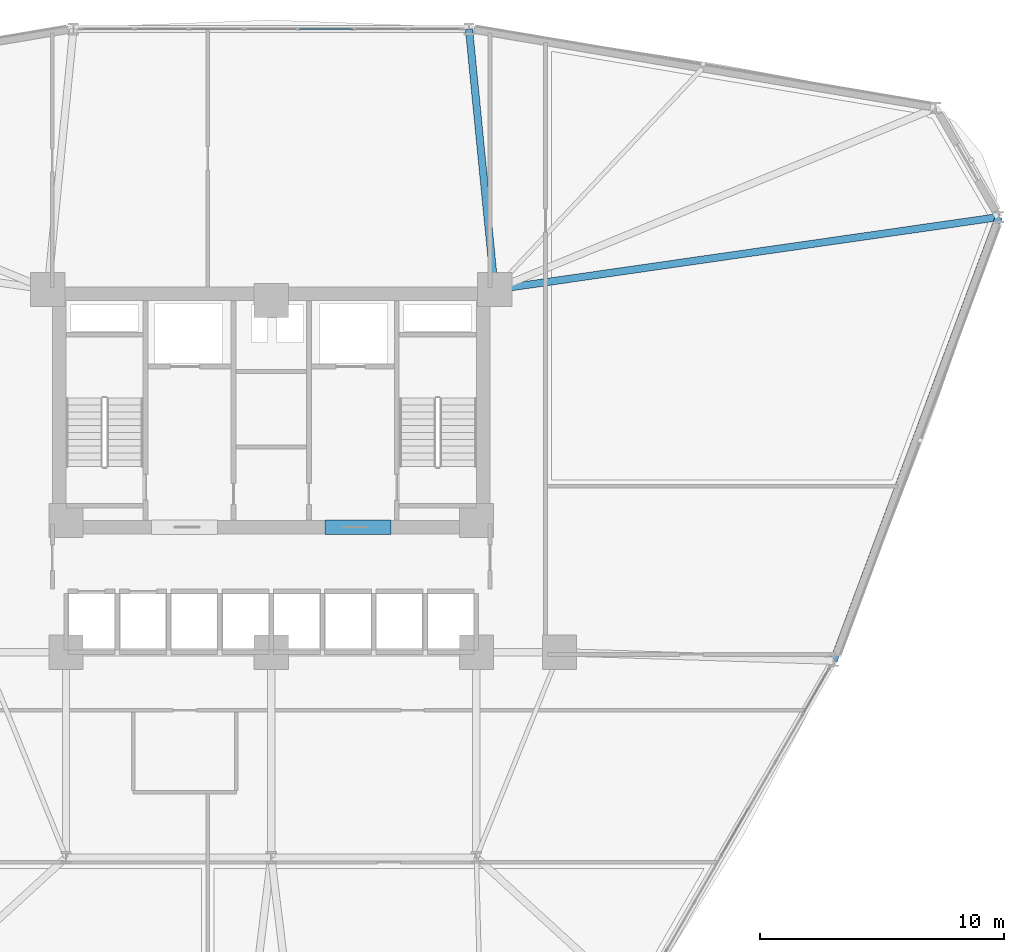
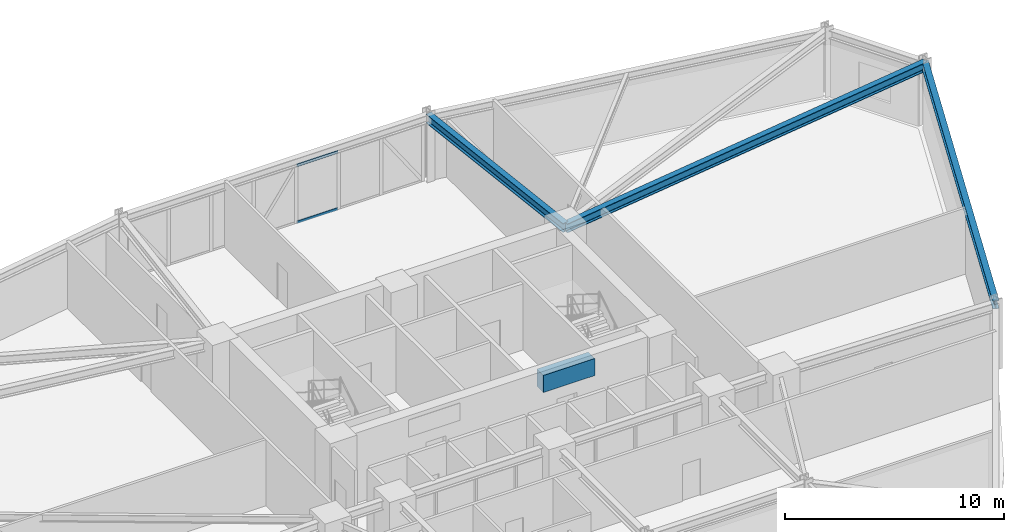
# One storey, part 12 of 21: 4 beams, 2 members, 1 element without a shape of its own.
"""IFC4 building model written with IfcOpenShell, lengths in metres."""

from ifc_helpers import new_model, si_unit, derived_unit, direction, frame, origin, origin_2d, place, context, subcontext, project, spatial, rectangle, hollow_rectangle, i_section, extrude, source, transform, mapped, material, layer, layer_set, material_profile, profile_set, type_object, element, aggregate, save


model = new_model("IFC4")

# Units and contexts
model_context = context("Model", 3, precision=1e-05, world=origin(), true_north=direction((0.0, 1.0)))
body_context = subcontext(model_context, "Body", "Model", "MODEL_VIEW")
ifc_project = project(units=[si_unit("LENGTHUNIT", "METRE"), si_unit("AREAUNIT", "SQUARE_METRE"), si_unit("VOLUMEUNIT", "CUBIC_METRE"), si_unit("PLANEANGLEUNIT", "RADIAN"), si_unit("MASSUNIT", "GRAM", prefix="KILO"), derived_unit("THERMALTRANSMITTANCEUNIT", [(si_unit("POWERUNIT", "WATT"), 1), (si_unit("LENGTHUNIT", "METRE"), -2), (si_unit("THERMODYNAMICTEMPERATUREUNIT", "KELVIN"), -1)])], contexts=[model_context])

# Site, building, storey
site_placement = place(None, origin())
site = spatial("IfcSite", under=ifc_project, at=site_placement, CompositionType="ELEMENT")
building_placement = place(site_placement, origin())
building = spatial("IfcBuilding", under=site, at=building_placement, Name="Korsvarv Bourse and Concert Hall", CompositionType="ELEMENT")
storey_placement = place(building_placement, frame((0.0, 0.0, 27.89990234375)))
storey = spatial("IfcBuildingStorey", under=building, at=storey_placement, Name="L06", CompositionType="ELEMENT", Elevation=27.89990234375)

# Beams
ifc_material_1 = material(Name="Concrete C55/67", Category="concrete")
ifc_material_profile_1 = material_profile(ifc_material_1, rectangle(XDim=0.60009765625, YDim=0.949951171875, at=origin_2d()), Name="RC-BM 600x950")
ifc_profile_set_1 = profile_set([ifc_material_profile_1], Name="Concrete C55/67")
beam_type_1 = type_object("IfcBeamType", Name="BM-CPL", PredefinedType="LINTEL", material=ifc_profile_set_1)
shared_shape_1 = source(origin(), body_context, "Body", "SweptSolid", [
    extrude(rectangle(XDim=0.60009765625, YDim=0.949951171875, at=origin_2d()), origin(), (0.0, 0.0, 1.0), 2.699951171875),
])
beam_1_placement = place(storey_placement, frame((38.199951171875, 37.52490234375, 3.205078125), z_axis=(1.0, 0.0, 0.0), x_axis=(0.0, 1.0, 0.0)))
element("IfcBeam", 1, at=beam_1_placement, inside=storey, type_object=beam_type_1, Name="L06 Core Coupling Beam East", PredefinedType="LINTEL", context=body_context, shape_type="MappedRepresentation", body=[
    mapped(shared_shape_1, transform((0.0, 0.0, 0.0), scale=1.0)),
])
ifc_material_2 = material(Name="Steel S355", Category="steel")
ifc_material_profile_2 = material_profile(ifc_material_2, i_section(OverallWidth=0.300048828125, OverallDepth=0.449951171875, WebThickness=0.013916015625, FlangeThickness=0.02587890625, FilletRadius=0.02099609375, at=origin_2d()), Name="HEB 450")
ifc_profile_set_2 = profile_set([ifc_material_profile_2], Name="Steel S355")
beam_type_2 = type_object("IfcBeamType", Name="BM-HEB450", PredefinedType="SPANDREL", material=ifc_profile_set_2)
shared_shape_2 = source(origin(), body_context, "Body", "SweptSolid", [
    extrude(i_section(OverallWidth=0.300048828125, OverallDepth=0.449951171875, WebThickness=0.013916015625, FlangeThickness=0.02587890625, FilletRadius=0.02099609375, at=origin_2d()), origin(), (0.0, 0.0, 1.0), 19.3798828125),
])
beam_2_placement = place(storey_placement, frame((59.029541015625, 32.05419921875, 3.455078125), z_axis=(0.348764335055, 0.937210455871, 0.0), x_axis=(-0.937210455871, 0.348764335055, 0.0)))
element("IfcBeam", 2, at=beam_2_placement, inside=storey, type_object=beam_type_2, Name="L06 beam B-08", PredefinedType="SPANDREL", context=body_context, shape_type="MappedRepresentation", body=[
    mapped(shared_shape_2, transform((0.0, 0.0, 0.0), scale=1.0)),
])
ifc_material_profile_3 = material_profile(ifc_material_2, i_section(OverallWidth=0.300048828125, OverallDepth=0.5, WebThickness=0.014404296875, FlangeThickness=0.028076171875, FilletRadius=0.02392578125, at=origin_2d()), Name="HEB 500")
ifc_profile_set_3 = profile_set([ifc_material_profile_3], Name="Steel S355")
beam_type_3 = type_object("IfcBeamType", Name="BM-HEB500", PredefinedType="BEAM", material=ifc_profile_set_3)
shared_shape_3 = source(origin(), body_context, "Body", "SweptSolid", [
    extrude(i_section(OverallWidth=0.300048828125, OverallDepth=0.5, WebThickness=0.014404296875, FlangeThickness=0.028076171875, FilletRadius=0.02392578125, at=origin_2d()), origin(), (0.0, 0.0, 1.0), 20.850830078125),
])
beam_3_placement = place(storey_placement, frame((65.78857421875, 50.21728515625, 3.43017578125), z_axis=(-0.989822170668, -0.142309769356, 0.0), x_axis=(0.142309769356, -0.989822170668, 0.0)))
element("IfcBeam", 3, at=beam_3_placement, inside=storey, type_object=beam_type_3, Name="L06 beam B-07", PredefinedType="BEAM", context=body_context, shape_type="MappedRepresentation", body=[
    mapped(shared_shape_3, transform((0.0, 0.0, 0.0), scale=1.0)),
])
shared_shape_4 = source(origin(), body_context, "Body", "SweptSolid", [
    extrude(i_section(OverallWidth=0.300048828125, OverallDepth=0.5, WebThickness=0.014404296875, FlangeThickness=0.028076171875, FilletRadius=0.02392578125, at=origin_2d()), origin(), (0.0, 0.0, 1.0), 10.71875),
])
beam_4_placement = place(storey_placement, frame((44.097412109375, 57.9169921875, 3.43017578125), z_axis=(0.098191142764, -0.995167573569, 0.0), x_axis=(0.995167573569, 0.098191142764, 0.0)))
element("IfcBeam", 4, at=beam_4_placement, inside=storey, type_object=beam_type_3, Name="L06 beam B-07", PredefinedType="BEAM", context=body_context, shape_type="MappedRepresentation", body=[
    mapped(shared_shape_4, transform((0.0, 0.0, 0.0), scale=1.0)),
])

# Curtain wall, members
ifc_material_3 = material(Name="Anodised aluminium and triple low-E glazing", Category="glass")
ifc_layer = layer(ifc_material_3, 0.219970703125)
ifc_layer_set = layer_set([ifc_layer], Name="Anodised aluminium and triple low-E glazing")
curtain_wall_type = type_object("IfcCurtainWallType", Name="CW-SYS-1", PredefinedType="NOTDEFINED", material=ifc_layer_set)
curtain_wall_placement = place(storey_placement, origin())
curtain_wall = element("IfcCurtainWall", 5, at=curtain_wall_placement, inside=storey, type_object=curtain_wall_type, Name="L06 CW1 curtain wall CW-L06-F03", PredefinedType="NOTDEFINED")
ifc_material_4 = material(Name="Extruded aluminium EN AW-6063 T66", Category="aluminium")
ifc_material_profile_4 = material_profile(ifc_material_4, hollow_rectangle(XDim=0.06494140625, YDim=0.139892578125, WallThickness=0.00390625, at=origin_2d()), Name="ALU-T 65x140")
ifc_profile_set_4 = profile_set([ifc_material_profile_4], Name="Extruded aluminium EN AW-6063 T66")
member_type = type_object("IfcMemberType", Name="CWT-140", PredefinedType="USERDEFINED", material=ifc_profile_set_4)
shared_shape_5 = source(origin(), body_context, "Body", "SweptSolid", [
    extrude(hollow_rectangle(XDim=0.06494140625, YDim=0.139892578125, WallThickness=0.00390625, at=origin_2d()), origin(), (0.0, 0.0, 1.0), 2.168701171875),
])
member_1_placement = place(storey_placement, frame((39.322998046875, 57.9169921875, 0.03271484375), z_axis=(-1.0, 0.0, 0.0), x_axis=(0.0, -1.0, 0.0)))
member_1 = element("IfcMember", 6, at=member_1_placement, type_object=member_type, Name="CW1 transom 3.1", ObjectType="TRANSOM", PredefinedType="USERDEFINED", context=body_context, shape_type="MappedRepresentation", body=[
    mapped(shared_shape_5, transform((0.0, 0.0, 0.0), scale=1.0)),
])
member_2_placement = place(storey_placement, frame((39.322998046875, 57.9169921875, 3.197509765625), z_axis=(-1.0, 0.0, 0.0), x_axis=(0.0, -1.0, 0.0)))
member_2 = element("IfcMember", 7, at=member_2_placement, type_object=member_type, Name="CW1 transom 3.2", ObjectType="TRANSOM", PredefinedType="USERDEFINED", context=body_context, shape_type="MappedRepresentation", body=[
    mapped(shared_shape_5, transform((0.0, 0.0, 0.0), scale=1.0)),
])
aggregate(curtain_wall, [member_1, member_2])

save(model, "model.ifc")
